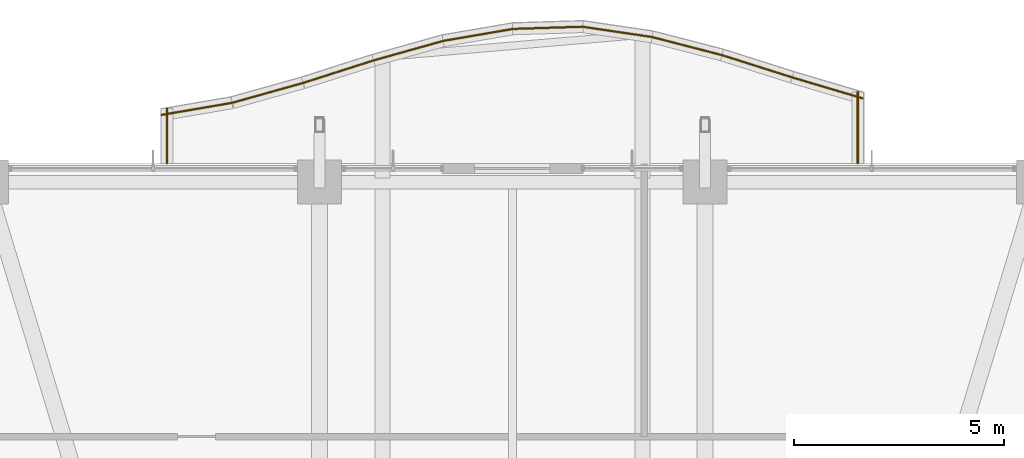
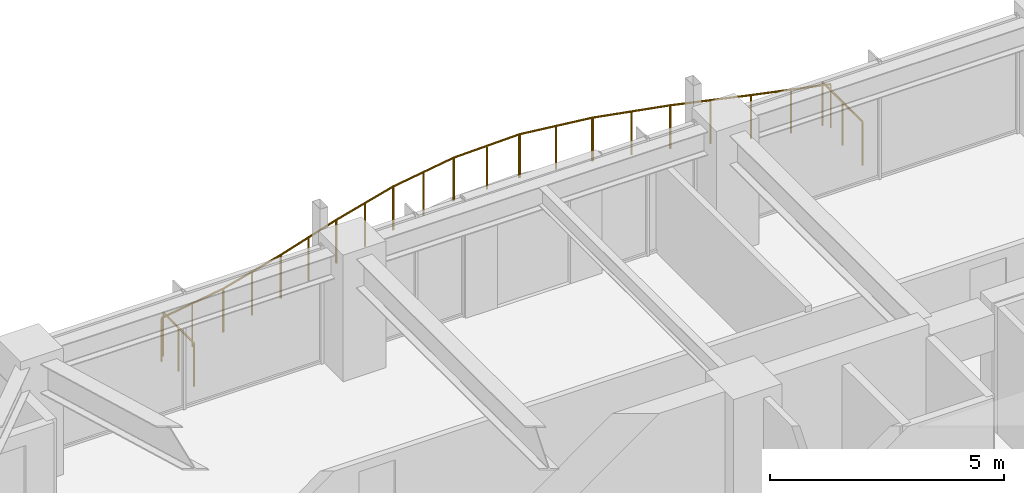
# One storey, part 31 of 31: 12 railings.
"""IFC4 building model written with IfcOpenShell, lengths in metres."""

from ifc_helpers import new_model, si_unit, direction, frame, origin, origin_2d, place, context, subcontext, project, spatial, circle, extrude, material, type_object, element, save


model = new_model("IFC4")

# Units and contexts
model_context = context("Model", 3, precision=1e-05, world=origin(), true_north=direction((0.0, 1.0)))
body_context = subcontext(model_context, "Body", "Model", "MODEL_VIEW")
ifc_project = project(units=[si_unit("LENGTHUNIT", "METRE"), si_unit("AREAUNIT", "SQUARE_METRE"), si_unit("VOLUMEUNIT", "CUBIC_METRE"), si_unit("PLANEANGLEUNIT", "RADIAN"), si_unit("MASSUNIT", "GRAM", prefix="KILO")], contexts=[model_context])

# Site, building, storey
site_placement = place(None, origin())
site = spatial("IfcSite", under=ifc_project, at=site_placement, CompositionType="ELEMENT")
building_placement = place(site_placement, origin())
building = spatial("IfcBuilding", under=site, at=building_placement, Name="Kolvaren Belvedere", CompositionType="ELEMENT")
storey_placement = place(building_placement, frame((0.0, 0.0, 118.39990234375)))
storey = spatial("IfcBuildingStorey", under=building, at=storey_placement, Name="L34", CompositionType="ELEMENT", Elevation=118.39990234375)

# Railings
ifc_material = material(Name="Anodised pale-metal aluminium & laminated glass guard", Category="aluminium")
railing_type = type_object("IfcRailingType", Name="RL-GUARD-1150", PredefinedType="GUARDRAIL", material=ifc_material)
railing_1_placement = place(storey_placement, frame((8.239990234375, 19.10009765625, 0.380126953125)))
element("IfcRailing", 1, at=railing_1_placement, inside=storey, type_object=railing_type, Name="L34 Exterior Deck Safety Guard BAL-N-11", PredefinedType="GUARDRAIL", context=body_context, shape_type="SweptSolid", body=[
    extrude(circle(Radius=0.02392578125, at=origin_2d()), frame((0.0, 0.0, 1.1259765625), z_axis=(0.0, 1.0, 0.0), x_axis=(-1.0, 0.0, 0.0)), (0.0, 0.0, 1.0), 1.705078125),
    extrude(circle(Radius=0.02099609375, at=origin_2d()), origin(), (0.0, 0.0, 1.0), 1.101806640625),
    extrude(circle(Radius=0.02099609375, at=origin_2d()), frame((0.0, 0.8525390625, 0.0)), (0.0, 0.0, 1.0), 1.101806640625),
    extrude(circle(Radius=0.02099609375, at=origin_2d()), frame((0.0, 1.705078125, 0.0)), (0.0, 0.0, 1.0), 1.101806640625),
])
railing_2_placement = place(storey_placement, frame((8.3544921875, 20.65185546875, 0.380126953125)))
element("IfcRailing", 2, at=railing_2_placement, inside=storey, type_object=railing_type, Name="L34 Exterior Deck Safety Guard BAL-N-12", PredefinedType="GUARDRAIL", context=body_context, shape_type="SweptSolid", body=[
    extrude(circle(Radius=0.02392578125, at=origin_2d()), frame((0.0, 0.0, 1.1259765625), z_axis=(-0.958574394638, 0.284842289601, 0.0), x_axis=(-0.284842289601, -0.958574394638, 0.0)), (0.0, 0.0, 1.0), 1.752685546875),
    extrude(circle(Radius=0.02099609375, at=origin_2d()), origin(), (0.0, 0.0, 1.0), 1.101806640625),
    extrude(circle(Radius=0.02099609375, at=origin_2d()), frame((-0.840087890625, 0.24951171875, 0.0)), (0.0, 0.0, 1.0), 1.101806640625),
    extrude(circle(Radius=0.02099609375, at=origin_2d()), frame((-1.68017578125, 0.499267578125, 0.0)), (0.0, 0.0, 1.0), 1.101806640625),
])
railing_3_placement = place(storey_placement, frame((6.671630859375, 21.152099609375, 0.380126953125)))
element("IfcRailing", 3, at=railing_3_placement, inside=storey, type_object=railing_type, Name="L34 Exterior Deck Safety Guard BAL-N-13", PredefinedType="GUARDRAIL", context=body_context, shape_type="SweptSolid", body=[
    extrude(circle(Radius=0.02392578125, at=origin_2d()), frame((0.0, 0.0, 1.1259765625), z_axis=(-0.953181954832, 0.302397356111, 0.0), x_axis=(-0.302397356111, -0.953181954832, 0.0)), (0.0, 0.0, 1.0), 1.762451171875),
    extrude(circle(Radius=0.02099609375, at=origin_2d()), origin(), (0.0, 0.0, 1.0), 1.101806640625),
    extrude(circle(Radius=0.02099609375, at=origin_2d()), frame((-0.83984375, 0.2666015625, 0.0)), (0.0, 0.0, 1.0), 1.101806640625),
    extrude(circle(Radius=0.02099609375, at=origin_2d()), frame((-1.679931640625, 0.532958984375, 0.0)), (0.0, 0.0, 1.0), 1.101806640625),
])
railing_4_placement = place(storey_placement, frame((5.0, 21.6826171875, 0.380126953125)))
element("IfcRailing", 4, at=railing_4_placement, inside=storey, type_object=railing_type, Name="L34 Exterior Deck Safety Guard BAL-N-14", PredefinedType="GUARDRAIL", context=body_context, shape_type="SweptSolid", body=[
    extrude(circle(Radius=0.02392578125, at=origin_2d()), frame((0.0, 0.0, 1.1259765625), z_axis=(-0.968141031826, 0.250405556038, 0.0), x_axis=(-0.250405556038, -0.968141031826, 0.0)), (0.0, 0.0, 1.0), 1.7353515625),
    extrude(circle(Radius=0.02099609375, at=origin_2d()), origin(), (0.0, 0.0, 1.0), 1.101806640625),
    extrude(circle(Radius=0.02099609375, at=origin_2d()), frame((-0.840087890625, 0.21728515625, 0.0)), (0.0, 0.0, 1.0), 1.101806640625),
    extrude(circle(Radius=0.02099609375, at=origin_2d()), frame((-1.68017578125, 0.4345703125, 0.0)), (0.0, 0.0, 1.0), 1.101806640625),
])
railing_5_placement = place(storey_placement, frame((3.336669921875, 22.114013671875, 0.380126953125)))
element("IfcRailing", 5, at=railing_5_placement, inside=storey, type_object=railing_type, Name="L34 Exterior Deck Safety Guard BAL-N-15", PredefinedType="GUARDRAIL", context=body_context, shape_type="SweptSolid", body=[
    extrude(circle(Radius=0.02392578125, at=origin_2d()), frame((0.0, 0.0, 1.1259765625), z_axis=(-0.989295127716, 0.145928579368, 0.0), x_axis=(-0.145928579368, -0.989295127716, 0.0)), (0.0, 0.0, 1.0), 1.697998046875),
    extrude(circle(Radius=0.02099609375, at=origin_2d()), origin(), (0.0, 0.0, 1.0), 1.101806640625),
    extrude(circle(Radius=0.02099609375, at=origin_2d()), frame((-0.83984375, 0.1240234375, 0.0)), (0.0, 0.0, 1.0), 1.101806640625),
    extrude(circle(Radius=0.02099609375, at=origin_2d()), frame((-1.679931640625, 0.247802734375, 0.0)), (0.0, 0.0, 1.0), 1.101806640625),
])
railing_6_placement = place(storey_placement, frame((1.68505859375, 22.360107421875, 0.380126953125)))
element("IfcRailing", 6, at=railing_6_placement, inside=storey, type_object=railing_type, Name="L34 Exterior Deck Safety Guard BAL-N-16", PredefinedType="GUARDRAIL", context=body_context, shape_type="SweptSolid", body=[
    extrude(circle(Radius=0.02392578125, at=origin_2d()), frame((0.0, 0.0, 1.1259765625), z_axis=(-0.999503251643, -0.031515868295, 0.0), x_axis=(0.031515868295, -0.999503251643, 0.0)), (0.0, 0.0, 1.0), 1.680908203125),
    extrude(circle(Radius=0.02099609375, at=origin_2d()), origin(), (0.0, 0.0, 1.0), 1.101806640625),
    extrude(circle(Radius=0.02099609375, at=origin_2d()), frame((-0.840087890625, -0.0263671875, 0.0)), (0.0, 0.0, 1.0), 1.101806640625),
    extrude(circle(Radius=0.02099609375, at=origin_2d()), frame((-1.68017578125, -0.052978515625, 0.0)), (0.0, 0.0, 1.0), 1.101806640625),
])
railing_7_placement = place(storey_placement, frame((0.027099609375, 22.309326171875, 0.380126953125)))
element("IfcRailing", 7, at=railing_7_placement, inside=storey, type_object=railing_type, Name="L34 Exterior Deck Safety Guard BAL-N-17", PredefinedType="GUARDRAIL", context=body_context, shape_type="SweptSolid", body=[
    extrude(circle(Radius=0.02392578125, at=origin_2d()), frame((0.0, 0.0, 1.1259765625), z_axis=(-0.985640648378, -0.168856484225, 0.0), x_axis=(0.168856484225, -0.985640648378, 0.0)), (0.0, 0.0, 1.0), 1.70458984375),
    extrude(circle(Radius=0.02099609375, at=origin_2d()), origin(), (0.0, 0.0, 1.0), 1.101806640625),
    extrude(circle(Radius=0.02099609375, at=origin_2d()), frame((-0.840087890625, -0.14404296875, 0.0)), (0.0, 0.0, 1.0), 1.101806640625),
    extrude(circle(Radius=0.02099609375, at=origin_2d()), frame((-1.68017578125, -0.287841796875, 0.0)), (0.0, 0.0, 1.0), 1.101806640625),
])
railing_8_placement = place(storey_placement, frame((-1.63671875, 22.025146484375, 0.380126953125)))
element("IfcRailing", 8, at=railing_8_placement, inside=storey, type_object=railing_type, Name="L34 Exterior Deck Safety Guard BAL-N-18", PredefinedType="GUARDRAIL", context=body_context, shape_type="SweptSolid", body=[
    extrude(circle(Radius=0.02392578125, at=origin_2d()), frame((0.0, 0.0, 1.1259765625), z_axis=(-0.962926227834, -0.269764860108, 0.0), x_axis=(0.269764860108, -0.962926227834, 0.0)), (0.0, 0.0, 1.0), 1.744873046875),
    extrude(circle(Radius=0.02099609375, at=origin_2d()), origin(), (0.0, 0.0, 1.0), 1.101806640625),
    extrude(circle(Radius=0.02099609375, at=origin_2d()), frame((-0.840087890625, -0.2353515625, 0.0)), (0.0, 0.0, 1.0), 1.101806640625),
    extrude(circle(Radius=0.02099609375, at=origin_2d()), frame((-1.68017578125, -0.470703125, 0.0)), (0.0, 0.0, 1.0), 1.101806640625),
])
railing_9_placement = place(storey_placement, frame((-3.311279296875, 21.55615234375, 0.380126953125)))
element("IfcRailing", 9, at=railing_9_placement, inside=storey, type_object=railing_type, Name="L34 Exterior Deck Safety Guard BAL-N-19", PredefinedType="GUARDRAIL", context=body_context, shape_type="SweptSolid", body=[
    extrude(circle(Radius=0.02392578125, at=origin_2d()), frame((0.0, 0.0, 1.1259765625), z_axis=(-0.952501264923, -0.304534629099, 0.0), x_axis=(0.304534629099, -0.952501264923, 0.0)), (0.0, 0.0, 1.0), 1.763671875),
    extrude(circle(Radius=0.02099609375, at=origin_2d()), origin(), (0.0, 0.0, 1.0), 1.101806640625),
    extrude(circle(Radius=0.02099609375, at=origin_2d()), frame((-0.83984375, -0.2685546875, 0.0)), (0.0, 0.0, 1.0), 1.101806640625),
    extrude(circle(Radius=0.02099609375, at=origin_2d()), frame((-1.679931640625, -0.537109375, 0.0)), (0.0, 0.0, 1.0), 1.101806640625),
])
railing_10_placement = place(storey_placement, frame((-4.996826171875, 21.017333984375, 0.380126953125)))
element("IfcRailing", 10, at=railing_10_placement, inside=storey, type_object=railing_type, Name="L34 Exterior Deck Safety Guard BAL-N-20", PredefinedType="GUARDRAIL", context=body_context, shape_type="SweptSolid", body=[
    extrude(circle(Radius=0.02392578125, at=origin_2d()), frame((0.0, 0.0, 1.1259765625), z_axis=(-0.962916043401, -0.269801210823, 0.0), x_axis=(0.269801210823, -0.962916043401, 0.0)), (0.0, 0.0, 1.0), 1.74462890625),
    extrude(circle(Radius=0.02099609375, at=origin_2d()), origin(), (0.0, 0.0, 1.0), 1.101806640625),
    extrude(circle(Radius=0.02099609375, at=origin_2d()), frame((-0.83984375, -0.2353515625, 0.0)), (0.0, 0.0, 1.0), 1.101806640625),
    extrude(circle(Radius=0.02099609375, at=origin_2d()), frame((-1.679931640625, -0.470703125, 0.0)), (0.0, 0.0, 1.0), 1.101806640625),
])
railing_11_placement = place(storey_placement, frame((-6.693115234375, 20.54296875, 0.380126953125)))
element("IfcRailing", 11, at=railing_11_placement, inside=storey, type_object=railing_type, Name="L34 Exterior Deck Safety Guard BAL-N-21", PredefinedType="GUARDRAIL", context=body_context, shape_type="SweptSolid", body=[
    extrude(circle(Radius=0.02392578125, at=origin_2d()), frame((0.0, 0.0, 1.1259765625), z_axis=(-0.985636563949, -0.16888032392, 0.0), x_axis=(0.16888032392, -0.985636563949, 0.0)), (0.0, 0.0, 1.0), 1.704345703125),
    extrude(circle(Radius=0.02099609375, at=origin_2d()), origin(), (0.0, 0.0, 1.0), 1.101806640625),
    extrude(circle(Radius=0.02099609375, at=origin_2d()), frame((-0.83984375, -0.14404296875, 0.0)), (0.0, 0.0, 1.0), 1.101806640625),
    extrude(circle(Radius=0.02099609375, at=origin_2d()), frame((-1.679931640625, -0.287841796875, 0.0)), (0.0, 0.0, 1.0), 1.101806640625),
])
railing_12_placement = place(storey_placement, frame((-8.239990234375, 20.412841796875, 0.380126953125)))
element("IfcRailing", 12, at=railing_12_placement, inside=storey, type_object=railing_type, Name="L34 Exterior Deck Safety Guard BAL-N-22", PredefinedType="GUARDRAIL", context=body_context, shape_type="SweptSolid", body=[
    extrude(circle(Radius=0.02392578125, at=origin_2d()), frame((0.0, 0.0, 1.1259765625), z_axis=(0.0, -1.0, 0.0), x_axis=(1.0, 0.0, 0.0)), (0.0, 0.0, 1.0), 1.312744140625),
    extrude(circle(Radius=0.02099609375, at=origin_2d()), origin(), (0.0, 0.0, 1.0), 1.101806640625),
    extrude(circle(Radius=0.02099609375, at=origin_2d()), frame((0.0, -0.65625, 0.0)), (0.0, 0.0, 1.0), 1.101806640625),
    extrude(circle(Radius=0.02099609375, at=origin_2d()), frame((0.0, -1.312744140625, 0.0)), (0.0, 0.0, 1.0), 1.101806640625),
])

save(model, "model.ifc")
